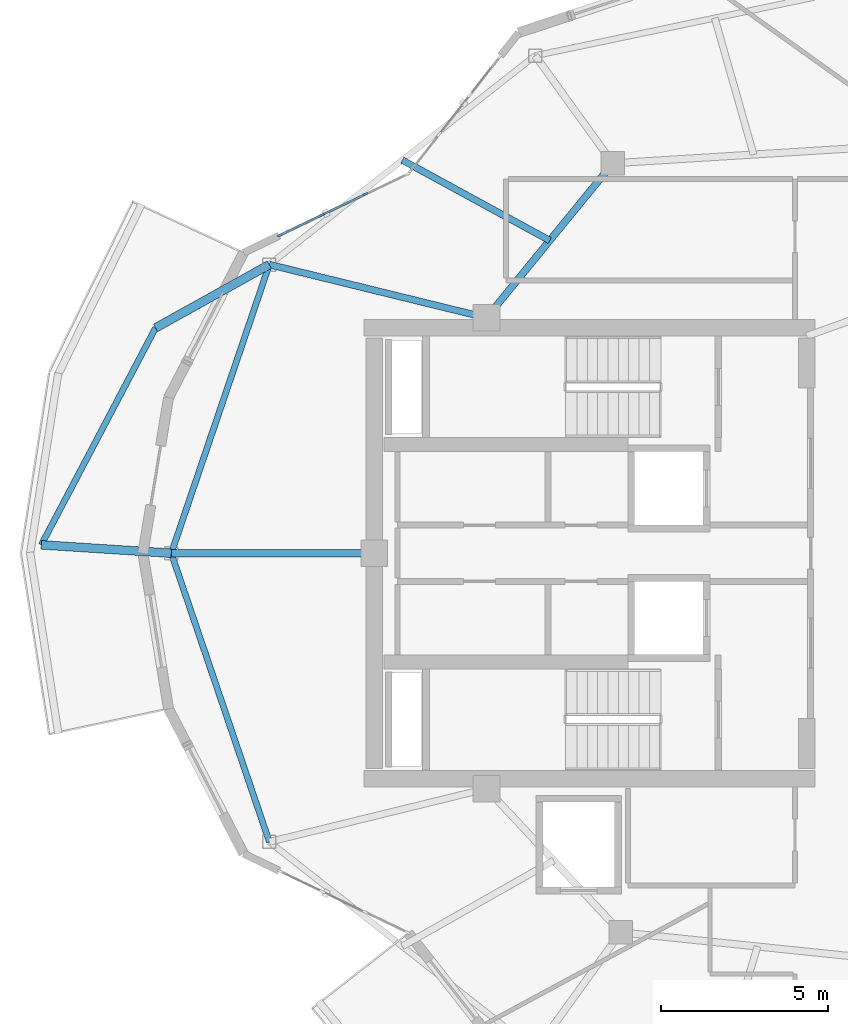
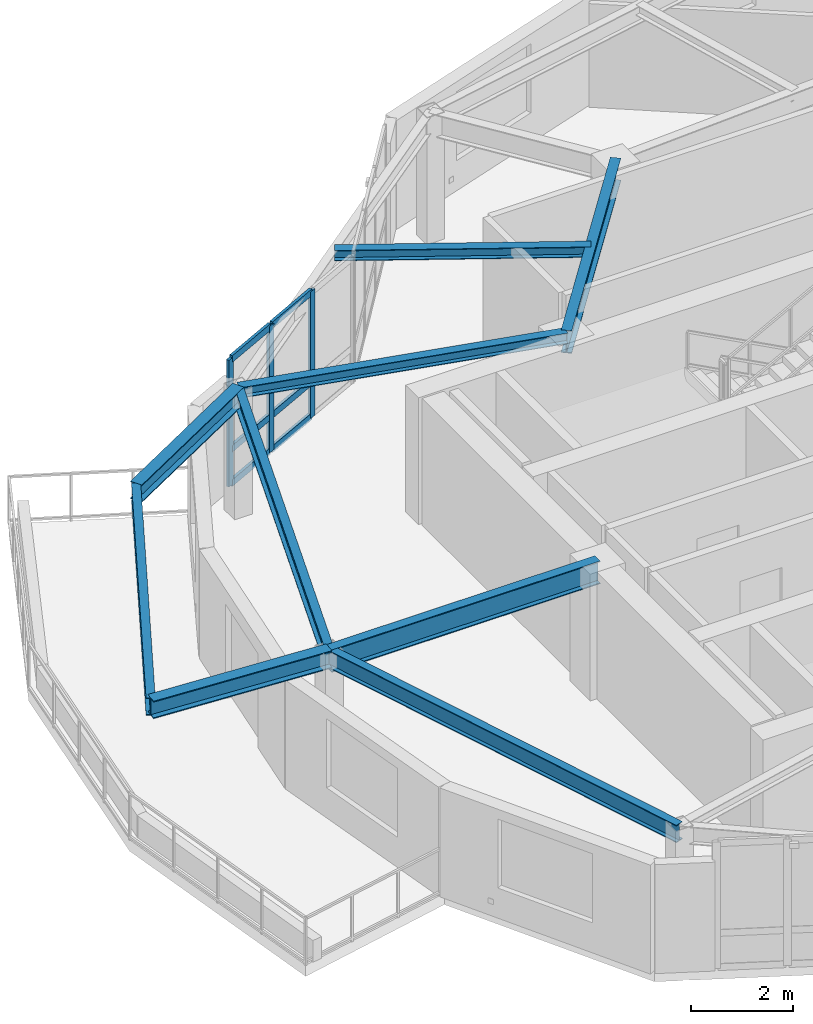
# One storey, part 3 of 14: 9 beams, 9 members, 1 element without a shape of its own.
"""IFC4 building model written with IfcOpenShell, lengths in metres."""

from ifc_helpers import new_model, si_unit, direction, frame, origin, origin_2d, place, context, subcontext, project, spatial, rectangle, i_section, extrude, material, layer, layer_set, material_profile, profile_set, type_object, element, aggregate, save


model = new_model("IFC4")

# Units and contexts
model_context = context("Model", 3, precision=1e-05, world=origin(), true_north=direction((0.0, 1.0)))
body_context = subcontext(model_context, "Body", "Model", "MODEL_VIEW")
ifc_project = project(units=[si_unit("LENGTHUNIT", "METRE"), si_unit("AREAUNIT", "SQUARE_METRE"), si_unit("VOLUMEUNIT", "CUBIC_METRE"), si_unit("PLANEANGLEUNIT", "RADIAN"), si_unit("MASSUNIT", "GRAM", prefix="KILO")], contexts=[model_context])

# Site, building, storey
site_placement = place(None, origin())
site = spatial("IfcSite", under=ifc_project, at=site_placement, CompositionType="ELEMENT")
building_placement = place(site_placement, origin())
building = spatial("IfcBuilding", under=site, at=building_placement, Name="Kolvaren Gate Tower and Convention Centre", CompositionType="ELEMENT")
storey_placement = place(building_placement, frame((0.0, 0.0, 252.5)))
storey = spatial("IfcBuildingStorey", under=building, at=storey_placement, Name="L68", CompositionType="ELEMENT", Elevation=252.5)

# Curtain wall, members
ifc_material_1 = material(Name="Anodized Architectural Aluminium Alloy 6063-T6", Category="aluminium")
ifc_layer = layer(ifc_material_1, 0.159912109375)
ifc_layer_set = layer_set([ifc_layer], Name="Anodized Architectural Aluminium Alloy 6063-T6")
curtain_wall_type = type_object("IfcCurtainWallType", Name="CW-RES-UNIT", PredefinedType="NOTDEFINED", material=ifc_layer_set)
curtain_wall_placement = place(storey_placement, origin())
curtain_wall = element("IfcCurtainWall", 1, at=curtain_wall_placement, inside=storey, type_object=curtain_wall_type, Name="Tower L68 Unitised Curtain Wall CW-RES-UNIT Bay 09", PredefinedType="NOTDEFINED")
ifc_material_profile_1 = material_profile(ifc_material_1, rectangle(XDim=0.06494140625, YDim=0.159912109375, at=origin_2d()), Name="CW-MEM-MUL-160")
ifc_profile_set_1 = profile_set([ifc_material_profile_1], Name="Anodized Architectural Aluminium Alloy 6063-T6")
member_type_1 = type_object("IfcMemberType", Name="CW-MEM-MUL-160", PredefinedType="MULLION", material=ifc_profile_set_1)
member_1_placement = place(storey_placement, frame((11.733154296875, 36.525634765625, 0.0), z_axis=(0.0, 0.0, 1.0), x_axis=(-0.433067331688, 0.901361573523, 0.0)))
member_1 = element("IfcMember", 2, at=member_1_placement, type_object=member_type_1, Name="CW-04 mullion 1", PredefinedType="MULLION", context=body_context, shape_type="SweptSolid", body=[
    extrude(rectangle(XDim=0.06494140625, YDim=0.159912109375, at=origin_2d()), origin(), (0.0, 0.0, 1.0), 3.030029296875),
])
member_2_placement = place(storey_placement, frame((12.993408203125, 37.131103515625, 0.0), z_axis=(0.0, 0.0, 1.0), x_axis=(-0.433067331688, 0.901361573523, 0.0)))
member_2 = element("IfcMember", 3, at=member_2_placement, type_object=member_type_1, Name="CW-04 mullion 2", PredefinedType="MULLION", context=body_context, shape_type="SweptSolid", body=[
    extrude(rectangle(XDim=0.06494140625, YDim=0.159912109375, at=origin_2d()), origin(), (0.0, 0.0, 1.0), 3.030029296875),
])
member_3_placement = place(storey_placement, frame((14.283203125, 37.750732421875, 0.0), z_axis=(0.0, 0.0, 1.0), x_axis=(-0.433067331688, 0.901361573523, 0.0)))
member_3 = element("IfcMember", 4, at=member_3_placement, type_object=member_type_1, Name="CW-04 mullion 3", PredefinedType="MULLION", context=body_context, shape_type="SweptSolid", body=[
    extrude(rectangle(XDim=0.06494140625, YDim=0.159912109375, at=origin_2d()), origin(), (0.0, 0.0, 1.0), 3.030029296875),
])
ifc_material_profile_2 = material_profile(ifc_material_1, rectangle(XDim=0.06494140625, YDim=0.159912109375, at=origin_2d()), Name="CW-MEM-TRN-160")
ifc_profile_set_2 = profile_set([ifc_material_profile_2], Name="Anodized Architectural Aluminium Alloy 6063-T6")
member_type_2 = type_object("IfcMemberType", Name="CW-MEM-TRN-160", PredefinedType="USERDEFINED", material=ifc_profile_set_2)
member_4_placement = place(storey_placement, frame((11.762451171875, 36.53955078125, 0.032470703125), z_axis=(0.901348668845, 0.433094189723, 0.0), x_axis=(-0.433094189723, 0.901348668845, 0.0)))
member_4 = element("IfcMember", 5, at=member_4_placement, type_object=member_type_2, Name="CW-04 transom 1.1", ObjectType="TRANSOM", PredefinedType="USERDEFINED", context=body_context, shape_type="SweptSolid", body=[
    extrude(rectangle(XDim=0.06494140625, YDim=0.159912109375, at=origin_2d()), origin(), (0.0, 0.0, 1.0), 1.333251953125),
])
member_5_placement = place(storey_placement, frame((11.762451171875, 36.53955078125, 0.85009765625), z_axis=(0.901348668845, 0.433094189723, 0.0), x_axis=(-0.433094189723, 0.901348668845, 0.0)))
member_5 = element("IfcMember", 6, at=member_5_placement, type_object=member_type_2, Name="CW-04 transom 1.2", ObjectType="TRANSOM", PredefinedType="USERDEFINED", context=body_context, shape_type="SweptSolid", body=[
    extrude(rectangle(XDim=0.06494140625, YDim=0.159912109375, at=origin_2d()), origin(), (0.0, 0.0, 1.0), 1.333251953125),
])
member_6_placement = place(storey_placement, frame((11.762451171875, 36.53955078125, 2.99755859375), z_axis=(0.901348668845, 0.433094189723, 0.0), x_axis=(-0.433094189723, 0.901348668845, 0.0)))
member_6 = element("IfcMember", 7, at=member_6_placement, type_object=member_type_2, Name="CW-04 transom 1.3", ObjectType="TRANSOM", PredefinedType="USERDEFINED", context=body_context, shape_type="SweptSolid", body=[
    extrude(rectangle(XDim=0.06494140625, YDim=0.159912109375, at=origin_2d()), origin(), (0.0, 0.0, 1.0), 1.333251953125),
])
member_7_placement = place(storey_placement, frame((13.022705078125, 37.145263671875, 0.032470703125), z_axis=(0.901428199214, 0.432928633451, 0.0), x_axis=(-0.432928633451, 0.901428199214, 0.0)))
member_7 = element("IfcMember", 8, at=member_7_placement, type_object=member_type_2, Name="CW-04 transom 2.1", ObjectType="TRANSOM", PredefinedType="USERDEFINED", context=body_context, shape_type="SweptSolid", body=[
    extrude(rectangle(XDim=0.06494140625, YDim=0.159912109375, at=origin_2d()), origin(), (0.0, 0.0, 1.0), 1.36572265625),
])
member_8_placement = place(storey_placement, frame((13.022705078125, 37.145263671875, 0.85009765625), z_axis=(0.901428199214, 0.432928633451, 0.0), x_axis=(-0.432928633451, 0.901428199214, 0.0)))
member_8 = element("IfcMember", 9, at=member_8_placement, type_object=member_type_2, Name="CW-04 transom 2.2", ObjectType="TRANSOM", PredefinedType="USERDEFINED", context=body_context, shape_type="SweptSolid", body=[
    extrude(rectangle(XDim=0.06494140625, YDim=0.159912109375, at=origin_2d()), origin(), (0.0, 0.0, 1.0), 1.36572265625),
])
member_9_placement = place(storey_placement, frame((13.022705078125, 37.145263671875, 2.99755859375), z_axis=(0.901428199214, 0.432928633451, 0.0), x_axis=(-0.432928633451, 0.901428199214, 0.0)))
member_9 = element("IfcMember", 10, at=member_9_placement, type_object=member_type_2, Name="CW-04 transom 2.3", ObjectType="TRANSOM", PredefinedType="USERDEFINED", context=body_context, shape_type="SweptSolid", body=[
    extrude(rectangle(XDim=0.06494140625, YDim=0.159912109375, at=origin_2d()), origin(), (0.0, 0.0, 1.0), 1.36572265625),
])
aggregate(curtain_wall, [member_1, member_2, member_3, member_4, member_5, member_6, member_7, member_8, member_9])

# Beams
ifc_material_2 = material(Name="Structural steel ASTM A992 Grade 345 MPa", Category="steel")
ifc_material_profile_3 = material_profile(ifc_material_2, i_section(OverallWidth=0.260009765625, OverallDepth=0.419921875, WebThickness=0.013427734375, FlangeThickness=0.0224609375, at=origin_2d()), Name="W410X132")
ifc_profile_set_3 = profile_set([ifc_material_profile_3], Name="Structural steel ASTM A992 Grade 345 MPa")
beam_type_1 = type_object("IfcBeamType", Name="STR-BM-W410X132", PredefinedType="BEAM", material=ifc_profile_set_3)
beam_1_placement = place(storey_placement, frame((11.4111328125, 35.6435546875, 2.820556640625), z_axis=(-0.87366073598, -0.486535629123, 0.0), x_axis=(0.486535629123, -0.87366073598, 0.0)))
element("IfcBeam", 11, at=beam_1_placement, inside=storey, type_object=beam_type_1, Name="Tower L69 Planted Balcony Outrigger Cantilever BC-2A", PredefinedType="BEAM", context=body_context, shape_type="SweptSolid", body=[
    extrude(i_section(OverallWidth=0.260009765625, OverallDepth=0.419921875, WebThickness=0.013427734375, FlangeThickness=0.0224609375, at=origin_2d()), origin(), (0.0, 0.0, 1.0), 3.89990234375),
])
beam_2_placement = place(storey_placement, frame((8.47509765625, 27.0, 2.820556640625), z_axis=(-0.997935416092, 0.064225425725, 0.0), x_axis=(-0.064225425725, -0.997935416092, 0.0)))
element("IfcBeam", 12, at=beam_2_placement, inside=storey, type_object=beam_type_1, Name="Tower L69 Planted Balcony Outrigger Cantilever BC-2B", PredefinedType="BEAM", context=body_context, shape_type="SweptSolid", body=[
    extrude(i_section(OverallWidth=0.260009765625, OverallDepth=0.419921875, WebThickness=0.013427734375, FlangeThickness=0.0224609375, at=origin_2d()), origin(), (0.0, 0.0, 1.0), 3.900146484375),
])
ifc_material_profile_4 = material_profile(ifc_material_2, i_section(OverallWidth=0.2119140625, OverallDepth=0.5439453125, WebThickness=0.01318359375, FlangeThickness=0.021240234375, at=origin_2d()), Name="W530X123")
ifc_profile_set_4 = profile_set([ifc_material_profile_4], Name="Structural steel ASTM A992 Grade 345 MPa")
beam_type_2 = type_object("IfcBeamType", Name="STR-BM-W530X123", PredefinedType="BEAM", material=ifc_profile_set_4)
beam_3_placement = place(storey_placement, frame((21.697998046875, 38.6767578125, 2.758056640625), z_axis=(-0.633082074904, -0.774084676528, 0.0), x_axis=(0.774084676528, -0.633082074904, 0.0)))
element("IfcBeam", 13, at=beam_3_placement, inside=storey, type_object=beam_type_2, Name="Tower L68 Primary Ring Girder G-05", PredefinedType="BEAM", context=body_context, shape_type="SweptSolid", body=[
    extrude(i_section(OverallWidth=0.2119140625, OverallDepth=0.5439453125, WebThickness=0.01318359375, FlangeThickness=0.021240234375, at=origin_2d()), origin(), (0.0, 0.0, 1.0), 5.97705078125),
])
beam_4_placement = place(storey_placement, frame((14.550048828125, 27.0, 2.758056640625), z_axis=(-1.0, 0.0, 0.0), x_axis=(0.0, -1.0, 0.0)))
element("IfcBeam", 14, at=beam_4_placement, inside=storey, type_object=beam_type_2, Name="Tower L68 Radial Floor Girder RB-07", PredefinedType="BEAM", context=body_context, shape_type="SweptSolid", body=[
    extrude(i_section(OverallWidth=0.2119140625, OverallDepth=0.5439453125, WebThickness=0.01318359375, FlangeThickness=0.021240234375, at=origin_2d()), origin(), (0.0, 0.0, 1.0), 6.074951171875),
])
ifc_material_profile_5 = material_profile(ifc_material_2, i_section(OverallWidth=0.202880859375, OverallDepth=0.251953125, WebThickness=0.008056640625, FlangeThickness=0.013427734375, at=origin_2d()), Name="W250X58")
ifc_profile_set_5 = profile_set([ifc_material_profile_5], Name="Structural steel ASTM A992 Grade 345 MPa")
beam_type_3 = type_object("IfcBeamType", Name="STR-JS-W250X58", PredefinedType="JOIST", material=ifc_profile_set_5)
beam_5_placement = place(storey_placement, frame((17.9140625, 34.050048828125, 2.904052734375), z_axis=(-0.971264462968, 0.238002821362, 0.0), x_axis=(-0.238002821362, -0.971264462968, 0.0)))
element("IfcBeam", 15, at=beam_5_placement, inside=storey, type_object=beam_type_3, Name="Tower L68 Radial Floor Girder RB-06", PredefinedType="JOIST", context=body_context, shape_type="SweptSolid", body=[
    extrude(i_section(OverallWidth=0.202880859375, OverallDepth=0.251953125, WebThickness=0.008056640625, FlangeThickness=0.013427734375, at=origin_2d()), origin(), (0.0, 0.0, 1.0), 6.6953125),
])
beam_6_placement = place(storey_placement, frame((19.805908203125, 36.36328125, 2.904052734375), z_axis=(-0.8778621722, 0.478913360244, 0.0), x_axis=(-0.478913360244, -0.8778621722, 0.0)))
element("IfcBeam", 16, at=beam_6_placement, inside=storey, type_object=beam_type_3, Name="Tower L68 Secondary Composite Floor Joist J-05.1", PredefinedType="JOIST", context=body_context, shape_type="SweptSolid", body=[
    extrude(i_section(OverallWidth=0.202880859375, OverallDepth=0.251953125, WebThickness=0.008056640625, FlangeThickness=0.013427734375, at=origin_2d()), origin(), (0.0, 0.0, 1.0), 5.028564453125),
])
ifc_material_profile_6 = material_profile(ifc_material_2, i_section(OverallWidth=0.180908203125, OverallDepth=0.4169921875, WebThickness=0.010986328125, FlangeThickness=0.018310546875, at=origin_2d()), Name="W410X85")
ifc_profile_set_6 = profile_set([ifc_material_profile_6], Name="Structural steel ASTM A992 Grade 345 MPa")
beam_type_4 = type_object("IfcBeamType", Name="STR-SP-W410X85", PredefinedType="SPANDREL", material=ifc_profile_set_6)
for number, where, z_axis, x_axis, name in (
    (17, (11.4111328125, 35.6435546875, 2.821533203125), (-0.32163038352, -0.946865300028, 0.0), (0.946865300028, -0.32163038352, 0.0), "Tower L68 Perimeter Spandrel Beam SP-06"),
    (18, (8.47509765625, 27.0, 2.821533203125), (0.32163038352, -0.946865300028, 0.0), (0.946865300028, 0.32163038352, 0.0), "Tower L68 Perimeter Spandrel Beam SP-07"),
):
    element("IfcBeam", number, at=place(storey_placement, frame(where, z_axis=z_axis, x_axis=x_axis)), inside=storey, type_object=beam_type_4, Name=name, PredefinedType="SPANDREL", context=body_context, shape_type="SweptSolid", body=[
        extrude(i_section(OverallWidth=0.180908203125, OverallDepth=0.4169921875, WebThickness=0.010986328125, FlangeThickness=0.018310546875, at=origin_2d()), origin(), (0.0, 0.0, 1.0), 9.128662109375),
    ])
beam_7_placement = place(storey_placement, frame((8.00390625, 33.74609375, 2.822021484375), z_axis=(-0.465976681048, -0.884797000854, 0.0), x_axis=(0.884797000854, -0.465976681048, 0.0)))
element("IfcBeam", 19, at=beam_7_placement, inside=storey, type_object=beam_type_4, Name="Tower L69 Planted Balcony Header Tie Beam BT-2", PredefinedType="SPANDREL", context=body_context, shape_type="SweptSolid", body=[
    extrude(i_section(OverallWidth=0.180908203125, OverallDepth=0.4169921875, WebThickness=0.010986328125, FlangeThickness=0.018310546875, at=origin_2d()), origin(), (0.0, 0.0, 1.0), 7.34130859375),
])

save(model, "model.ifc")
